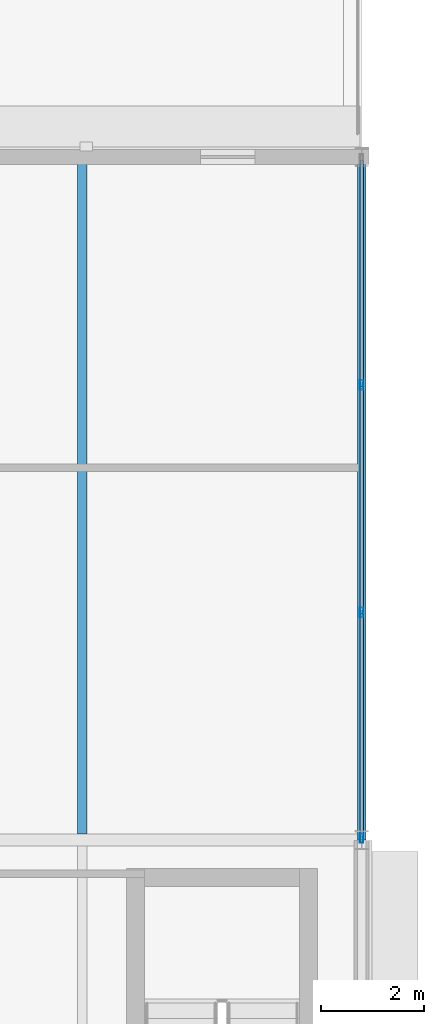
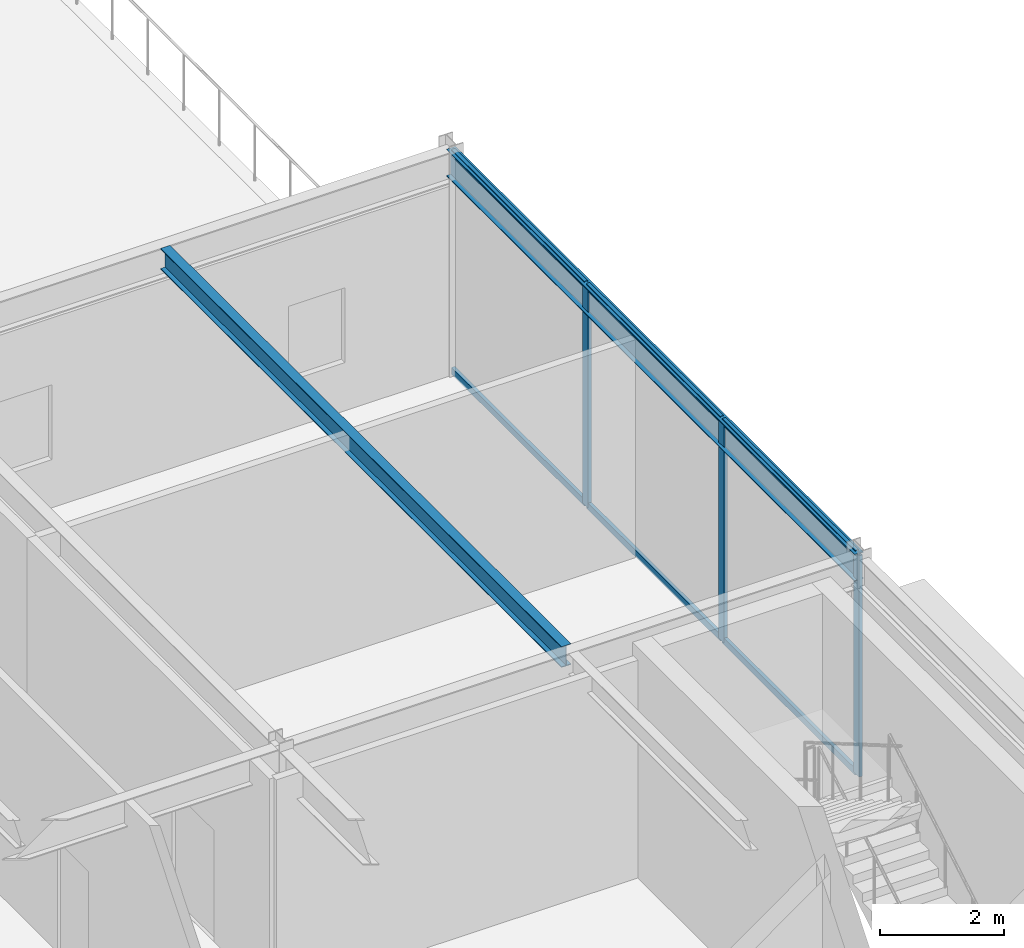
# One storey, part 9 of 22: 9 members, 2 beams, 1 element without a shape of its own.
"""IFC4 building model written with IfcOpenShell, lengths in metres."""

import ifcopenshell
import ifcopenshell.guid

model = None  # the IFC model being written
_history = None  # IfcOwnerHistory: only IFC2X3 demands one
_inside = {}  # id of a spatial element -> (the spatial element, [elements in it])
_under = {}  # id of a project, library or spatial element -> (it, [spatial elements below it])
_declared = {}  # id of a project -> (the project, [libraries it declares])
_typed = {}  # id of a type object -> (the type object, [elements of that type])
_made_of = {}  # id of a material, layer set ... -> (it, [elements and type objects made of it])


def new_model(schema):
    """Start an empty IFC model of exactly this schema.

    Asked for "IFC4X3", IfcOpenShell would pick the latest addendum, in which some entities
    have other attributes; the version numbers below select the first issue.
    IFC2X3 requires an IfcOwnerHistory on every rooted entity: one is made here for all.
    """
    global model, _history
    if schema == "IFC4X3":
        model = ifcopenshell.file(schema_version=(4, 3, 0, 0))
    else:
        model = ifcopenshell.file(schema=schema)
    _inside.clear()
    _under.clear()
    _declared.clear()
    _typed.clear()
    _made_of.clear()
    _history = None
    if model.schema == "IFC2X3":
        org = make("IfcOrganization", Name="unknown")
        user = make(
            "IfcPersonAndOrganization",
            ThePerson=make("IfcPerson", FamilyName="unknown"),
            TheOrganization=org,
        )
        app = make(
            "IfcApplication",
            ApplicationDeveloper=org,
            Version="unknown",
            ApplicationFullName="unknown",
            ApplicationIdentifier="unknown",
        )
        _history = make(
            "IfcOwnerHistory",
            OwningUser=user,
            OwningApplication=app,
            ChangeAction="ADDED",
            CreationDate=0,
        )
    return model


def make(cls, **values):
    """One entity of the class cls with the attributes given. An attribute that is None is left unset."""
    return model.create_entity(
        cls, **{name: value for name, value in values.items() if value is not None}
    )


def rooted(cls, **values):
    """An entity with a GlobalId (a new one), such as an element, a storey or a relation."""
    return make(cls, GlobalId=ifcopenshell.guid.new(), OwnerHistory=_history, **values)


def si_unit(unit_type, name, prefix=None):
    """IfcSIUnit, for example si_unit("LENGTHUNIT", "METRE", prefix="MILLI")."""
    return make("IfcSIUnit", UnitType=unit_type, Prefix=prefix, Name=name)


def assignment(units):
    """IfcUnitAssignment: the units of a project."""
    return None if units is None else make("IfcUnitAssignment", Units=units)


def point(xyz):
    """IfcCartesianPoint."""
    return None if xyz is None else make("IfcCartesianPoint", Coordinates=xyz)


def direction(xyz):
    """IfcDirection."""
    return None if xyz is None else make("IfcDirection", DirectionRatios=xyz)


def frame(location, z_axis=None, x_axis=None):
    """IfcAxis2Placement3D, a coordinate frame: its origin and axes. An axis left out is left unset."""
    return make(
        "IfcAxis2Placement3D",
        Location=point(location),
        Axis=direction(z_axis),
        RefDirection=direction(x_axis),
    )


def frame_2d(location, x_axis=None):
    """IfcAxis2Placement2D, a coordinate frame in the plane: its origin and x axis."""
    return make(
        "IfcAxis2Placement2D", Location=point(location), RefDirection=direction(x_axis)
    )


def origin():
    """The frame at (0, 0, 0) with its axes left unset."""
    return frame((0.0, 0.0, 0.0))


def origin_2d():
    """The frame at (0, 0) in the plane with its x axis left unset."""
    return frame_2d((0.0, 0.0))


def place(relative_to, where):
    """IfcLocalPlacement: puts the frame where relative to a parent placement (None: the world)."""
    return make(
        "IfcLocalPlacement", PlacementRelTo=relative_to, RelativePlacement=where
    )


def context(
    kind, dimensions, precision=None, world=None, true_north=None, identifier=None
):
    """IfcGeometricRepresentationContext, for example the 3D "Model" context."""
    return make(
        "IfcGeometricRepresentationContext",
        ContextIdentifier=identifier,
        ContextType=kind,
        CoordinateSpaceDimension=dimensions,
        Precision=precision,
        WorldCoordinateSystem=world,
        TrueNorth=true_north,
    )


def subcontext(parent, identifier, kind, view, scale=None):
    """IfcGeometricRepresentationSubContext, for example "Body" below "Model"."""
    return make(
        "IfcGeometricRepresentationSubContext",
        ContextIdentifier=identifier,
        ContextType=kind,
        ParentContext=parent,
        TargetScale=scale,
        TargetView=view,
    )


def project(units=None, contexts=None):
    """IfcProject with its units and contexts."""
    return rooted(
        "IfcProject",
        Name="project",
        RepresentationContexts=contexts,
        UnitsInContext=assignment(units),
    )


def spatial(cls, under=None, at=None, **own):
    """A site, building, storey or space (cls), placed at a placement, below another one or the project."""
    s = rooted(cls, ObjectPlacement=at, **own)
    if under is not None:
        _under.setdefault(under.id(), (under, []))[1].append(s)
    return s


def profile(cls, at=None, kind="AREA", **sizes):
    """A parametric profile (cls). Its sizes go by their IFC names, for example OverallWidth=200.0."""
    return make(cls, ProfileType=kind, Position=at, **sizes)


def hollow_rectangle(**sizes):
    """IfcRectangleHollowProfileDef."""
    return profile("IfcRectangleHollowProfileDef", **sizes)


def i_section(**sizes):
    """IfcIShapeProfileDef."""
    return profile("IfcIShapeProfileDef", **sizes)


def extrude(swept, where, along, depth):
    """IfcExtrudedAreaSolid: the profile swept, set in the frame where, extruded along a direction by depth."""
    return make(
        "IfcExtrudedAreaSolid",
        SweptArea=swept,
        Position=where,
        ExtrudedDirection=direction(along),
        Depth=depth,
    )


def shape(context_of_items, identifier, shape_type, items):
    """IfcShapeRepresentation: the items that make up one representation, for example the "Body"."""
    return make(
        "IfcShapeRepresentation",
        ContextOfItems=context_of_items,
        RepresentationIdentifier=identifier,
        RepresentationType=shape_type,
        Items=items,
    )


def material(Name=None, Category=None):
    """IfcMaterial."""
    return make("IfcMaterial", Name=Name, Category=Category)


def material_profile(
    of_material, cross_section, Name=None, Category=None, Priority=None
):
    """IfcMaterialProfile: a cross section and its material."""
    return make(
        "IfcMaterialProfile",
        Name=Name,
        Material=of_material,
        Profile=cross_section,
        Priority=Priority,
        Category=Category,
    )


def profile_set(profiles, Name=None, composite=None):
    """IfcMaterialProfileSet."""
    return make(
        "IfcMaterialProfileSet",
        Name=Name,
        MaterialProfiles=profiles,
        CompositeProfile=composite,
    )


def made_of(thing, what):
    """Note that an element or type object is made of a material, layer set ...; save() writes the relation."""
    if what is not None:
        _made_of.setdefault(what.id(), (what, []))[1].append(thing)
    return thing


def type_object(cls, material=None, **own):
    """A type object (cls), such as IfcWallType, which elements share."""
    return made_of(rooted(cls, **own), material)


def element(
    cls,
    number,
    at=None,
    inside=None,
    cuts=None,
    type_object=None,
    material=None,
    context=None,
    identifier="Body",
    shape_type=None,
    held_by="IfcProductDefinitionShape",
    body=None,
    shapes=None,
    **own,
):
    """One element of the class cls, such as IfcWall. Its Tag is "e" and its number.

    at: its placement. inside: the storey or other place that contains it. cuts: it is an
    opening in that element (IfcRelVoidsElement). A single representation is given by context,
    identifier, shape_type and body (its items); several are given by shapes. held_by: the class
    of the entity that holds the representations. save() writes the other relations.
    """
    e = rooted(cls, Tag="e%d" % number, ObjectPlacement=at, **own)
    if body is not None:
        shapes = [shape(context, identifier, shape_type, body)]
    if shapes is not None:
        e.Representation = make(held_by, Representations=shapes)
    if inside is not None:
        _inside.setdefault(inside.id(), (inside, []))[1].append(e)
    if cuts is not None:
        rooted(
            "IfcRelVoidsElement", RelatingBuildingElement=cuts, RelatedOpeningElement=e
        )
    if type_object is not None:
        _typed.setdefault(type_object.id(), (type_object, []))[1].append(e)
    return made_of(e, material)


def aggregate(whole, parts):
    """IfcRelAggregates: a whole, such as a stair, and the parts it consists of."""
    return rooted("IfcRelAggregates", RelatingObject=whole, RelatedObjects=parts)


def save(model, path):
    """Write the relations noted so far, then the file.

    IfcRelAggregates (storeys below a building ...), IfcRelContainedInSpatialStructure (elements
    in a storey), IfcRelDefinesByType, IfcRelAssociatesMaterial and IfcRelDeclares: one each for
    every whole, place, type object, material and project.
    """
    for whole, parts in _under.values():
        aggregate(whole, parts)
    for where, things in _inside.values():
        rooted(
            "IfcRelContainedInSpatialStructure",
            RelatedElements=things,
            RelatingStructure=where,
        )
    for kind, things in _typed.values():
        rooted("IfcRelDefinesByType", RelatedObjects=things, RelatingType=kind)
    for what, things in _made_of.values():
        rooted("IfcRelAssociatesMaterial", RelatedObjects=things, RelatingMaterial=what)
    for by, libraries in _declared.values():
        rooted("IfcRelDeclares", RelatingContext=by, RelatedDefinitions=libraries)
    model.write(path)


model = new_model("IFC4")

# Units and contexts
model_context = context("Model", 3, precision=1e-05, world=origin(), true_north=direction((0.0, 1.0)))
body_context = subcontext(model_context, "Body", "Model", "MODEL_VIEW")
ifc_project = project(units=[si_unit("LENGTHUNIT", "METRE"), si_unit("AREAUNIT", "SQUARE_METRE"), si_unit("VOLUMEUNIT", "CUBIC_METRE"), si_unit("PLANEANGLEUNIT", "RADIAN"), si_unit("MASSUNIT", "GRAM", prefix="KILO")], contexts=[model_context])

# Site, building, storey
site_placement = place(None, origin())
site = spatial("IfcSite", under=ifc_project, at=site_placement, CompositionType="ELEMENT")
building_placement = place(site_placement, origin())
building = spatial("IfcBuilding", under=site, at=building_placement, Name="Almandine Court Research Institute", CompositionType="ELEMENT")
storey_placement = place(building_placement, frame((0.0, 0.0, 28.0)))
storey = spatial("IfcBuildingStorey", under=building, at=storey_placement, Name="L06", CompositionType="ELEMENT", Elevation=28.0)

# Beams
ifc_material_1 = material(Name="Steel ASTM A992 Grade 50", Category="steel")
ifc_material_profile_1 = material_profile(ifc_material_1, i_section(OverallWidth=0.178955078125, OverallDepth=0.409912109375, WebThickness=0.009033203125, FlangeThickness=0.013916015625, at=origin_2d()), Name="W410x67")
ifc_profile_set_1 = profile_set([ifc_material_profile_1], Name="Steel ASTM A992 Grade 50")
beam_type_1 = type_object("IfcBeamType", Name="Beam-B-02", PredefinedType="JOIST", material=ifc_profile_set_1)
beam_1_placement = place(storey_placement, frame((168.60009765625, 57.712890625, 4.179931640625), z_axis=(0.0, 1.0, 0.0), x_axis=(-1.0, 0.0, 0.0)))
element("IfcBeam", 1, at=beam_1_placement, inside=storey, type_object=beam_type_1, Name="L06 V4 Composite Secondary Beam", PredefinedType="JOIST", context=body_context, shape_type="SweptSolid", body=[
    extrude(i_section(OverallWidth=0.178955078125, OverallDepth=0.409912109375, WebThickness=0.009033203125, FlangeThickness=0.013916015625, at=origin_2d()), origin(), (0.0, 0.0, 1.0), 12.97412109375),
])
ifc_material_profile_2 = material_profile(ifc_material_1, i_section(OverallWidth=0.166015625, OverallDepth=0.534912109375, WebThickness=0.010009765625, FlangeThickness=0.01708984375, at=origin_2d()), Name="W530x85")
ifc_profile_set_2 = profile_set([ifc_material_profile_2], Name="Steel ASTM A992 Grade 50")
beam_type_2 = type_object("IfcBeamType", Name="Beam-G-05-E", PredefinedType="SPANDREL", material=ifc_profile_set_2)
beam_2_placement = place(storey_placement, frame((174.0, 57.60009765625, 4.116943359375), z_axis=(0.0, 1.0, 0.0), x_axis=(-1.0, 0.0, 0.0)))
element("IfcBeam", 2, at=beam_2_placement, inside=storey, type_object=beam_type_2, Name="L06 V4 Primary Y Girder", PredefinedType="SPANDREL", context=body_context, shape_type="SweptSolid", body=[
    extrude(i_section(OverallWidth=0.166015625, OverallDepth=0.534912109375, WebThickness=0.010009765625, FlangeThickness=0.01708984375, at=origin_2d()), origin(), (0.0, 0.0, 1.0), 13.199951171875),
])

# Curtain wall, members
ifc_material_2 = material(Name="Unitised Curtain Wall Framing and Solar Glazing", Category="glass")
curtain_wall_type = type_object("IfcCurtainWallType", Name="CW-CWJ-15", PredefinedType="USERDEFINED", material=ifc_material_2)
curtain_wall_placement = place(storey_placement, origin())
curtain_wall = element("IfcCurtainWall", 3, at=curtain_wall_placement, inside=storey, type_object=curtain_wall_type, Name="L06 Wet Lab East Jali Curtain Wall 6", ObjectType="SOLAR JALI SCREEN", PredefinedType="USERDEFINED")
ifc_material_3 = material(Name="Anodised Aluminium AW-6063-T6", Category="aluminium")
ifc_material_profile_3 = material_profile(ifc_material_3, hollow_rectangle(XDim=0.06494140625, YDim=0.179931640625, WallThickness=0.00390625, at=origin_2d()), Name="ALU RHS 65x180x4")
ifc_profile_set_3 = profile_set([ifc_material_profile_3], Name="Anodised Aluminium AW-6063-T6")
member_type_1 = type_object("IfcMemberType", Name="CWMul-65x180", PredefinedType="MULLION", material=ifc_profile_set_3)
member_1_placement = place(storey_placement, frame((174.0, 66.398681640625, 0.0), z_axis=(0.0, 0.0, 1.0), x_axis=(1.0, 0.0, 0.0)))
member_1 = element("IfcMember", 4, at=member_1_placement, type_object=member_type_1, Name="CWJ-15 mullion 2", PredefinedType="MULLION", context=body_context, shape_type="SweptSolid", body=[
    extrude(hollow_rectangle(XDim=0.06494140625, YDim=0.179931640625, WallThickness=0.00390625, at=origin_2d()), origin(), (0.0, 0.0, 1.0), 4.3701171875),
])
member_2_placement = place(storey_placement, frame((174.0, 62.001220703125, 0.0), z_axis=(0.0, 0.0, 1.0), x_axis=(1.0, 0.0, 0.0)))
member_2 = element("IfcMember", 5, at=member_2_placement, type_object=member_type_1, Name="CWJ-15 mullion 3", PredefinedType="MULLION", context=body_context, shape_type="SweptSolid", body=[
    extrude(hollow_rectangle(XDim=0.06494140625, YDim=0.179931640625, WallThickness=0.00390625, at=origin_2d()), origin(), (0.0, 0.0, 1.0), 4.3701171875),
])
member_3_placement = place(storey_placement, frame((174.0, 57.636474609375, 0.0), z_axis=(0.0, 0.0, 1.0), x_axis=(1.0, 0.0, 0.0)))
member_3 = element("IfcMember", 6, at=member_3_placement, type_object=member_type_1, Name="CWJ-15 mullion 4", PredefinedType="MULLION", context=body_context, shape_type="SweptSolid", body=[
    extrude(hollow_rectangle(XDim=0.06494140625, YDim=0.179931640625, WallThickness=0.00390625, at=origin_2d()), origin(), (0.0, 0.0, 1.0), 4.3701171875),
])
ifc_material_profile_4 = material_profile(ifc_material_3, hollow_rectangle(XDim=0.06494140625, YDim=0.1298828125, WallThickness=0.00390625, at=origin_2d()), Name="ALU RHS 65x130x4")
ifc_profile_set_4 = profile_set([ifc_material_profile_4], Name="Anodised Aluminium AW-6063-T6")
member_type_2 = type_object("IfcMemberType", Name="CWTrn-65x130", PredefinedType="NOTDEFINED", material=ifc_profile_set_4)
member_4_placement = place(storey_placement, frame((174.0, 70.73095703125, 0.032470703125), z_axis=(0.0, -1.0, 0.0), x_axis=(1.0, 0.0, 0.0)))
member_4 = element("IfcMember", 7, at=member_4_placement, type_object=member_type_2, Name="CWJ-15 transom 1.1", ObjectType="TRANSOM", PredefinedType="USERDEFINED", context=body_context, shape_type="SweptSolid", body=[
    extrude(hollow_rectangle(XDim=0.06494140625, YDim=0.1298828125, WallThickness=0.00390625, at=origin_2d()), origin(), (0.0, 0.0, 1.0), 4.2998046875),
])
member_5_placement = place(storey_placement, frame((174.0, 70.73095703125, 4.33740234375), z_axis=(0.0, -1.0, 0.0), x_axis=(1.0, 0.0, 0.0)))
member_5 = element("IfcMember", 8, at=member_5_placement, type_object=member_type_2, Name="CWJ-15 transom 1.2", ObjectType="TRANSOM", PredefinedType="USERDEFINED", context=body_context, shape_type="SweptSolid", body=[
    extrude(hollow_rectangle(XDim=0.06494140625, YDim=0.1298828125, WallThickness=0.00390625, at=origin_2d()), origin(), (0.0, 0.0, 1.0), 4.2998046875),
])
member_6_placement = place(storey_placement, frame((174.0, 66.3662109375, 0.032470703125), z_axis=(0.0, -1.0, 0.0), x_axis=(1.0, 0.0, 0.0)))
member_6 = element("IfcMember", 9, at=member_6_placement, type_object=member_type_2, Name="CWJ-15 transom 2.1", ObjectType="TRANSOM", PredefinedType="USERDEFINED", context=body_context, shape_type="SweptSolid", body=[
    extrude(hollow_rectangle(XDim=0.06494140625, YDim=0.1298828125, WallThickness=0.00390625, at=origin_2d()), origin(), (0.0, 0.0, 1.0), 4.332275390625),
])
member_7_placement = place(storey_placement, frame((174.0, 66.3662109375, 4.33740234375), z_axis=(0.0, -1.0, 0.0), x_axis=(1.0, 0.0, 0.0)))
member_7 = element("IfcMember", 10, at=member_7_placement, type_object=member_type_2, Name="CWJ-15 transom 2.2", ObjectType="TRANSOM", PredefinedType="USERDEFINED", context=body_context, shape_type="SweptSolid", body=[
    extrude(hollow_rectangle(XDim=0.06494140625, YDim=0.1298828125, WallThickness=0.00390625, at=origin_2d()), origin(), (0.0, 0.0, 1.0), 4.332275390625),
])
member_8_placement = place(storey_placement, frame((174.0, 61.96875, 0.032470703125), z_axis=(0.0, -1.0, 0.0), x_axis=(1.0, 0.0, 0.0)))
member_8 = element("IfcMember", 11, at=member_8_placement, type_object=member_type_2, Name="CWJ-15 transom 3.1", ObjectType="TRANSOM", PredefinedType="USERDEFINED", context=body_context, shape_type="SweptSolid", body=[
    extrude(hollow_rectangle(XDim=0.06494140625, YDim=0.1298828125, WallThickness=0.00390625, at=origin_2d()), origin(), (0.0, 0.0, 1.0), 4.2998046875),
])
member_9_placement = place(storey_placement, frame((174.0, 61.96875, 4.33740234375), z_axis=(0.0, -1.0, 0.0), x_axis=(1.0, 0.0, 0.0)))
member_9 = element("IfcMember", 12, at=member_9_placement, type_object=member_type_2, Name="CWJ-15 transom 3.2", ObjectType="TRANSOM", PredefinedType="USERDEFINED", context=body_context, shape_type="SweptSolid", body=[
    extrude(hollow_rectangle(XDim=0.06494140625, YDim=0.1298828125, WallThickness=0.00390625, at=origin_2d()), origin(), (0.0, 0.0, 1.0), 4.2998046875),
])
aggregate(curtain_wall, [member_1, member_2, member_3, member_4, member_5, member_6, member_7, member_8, member_9])

save(model, "model.ifc")
